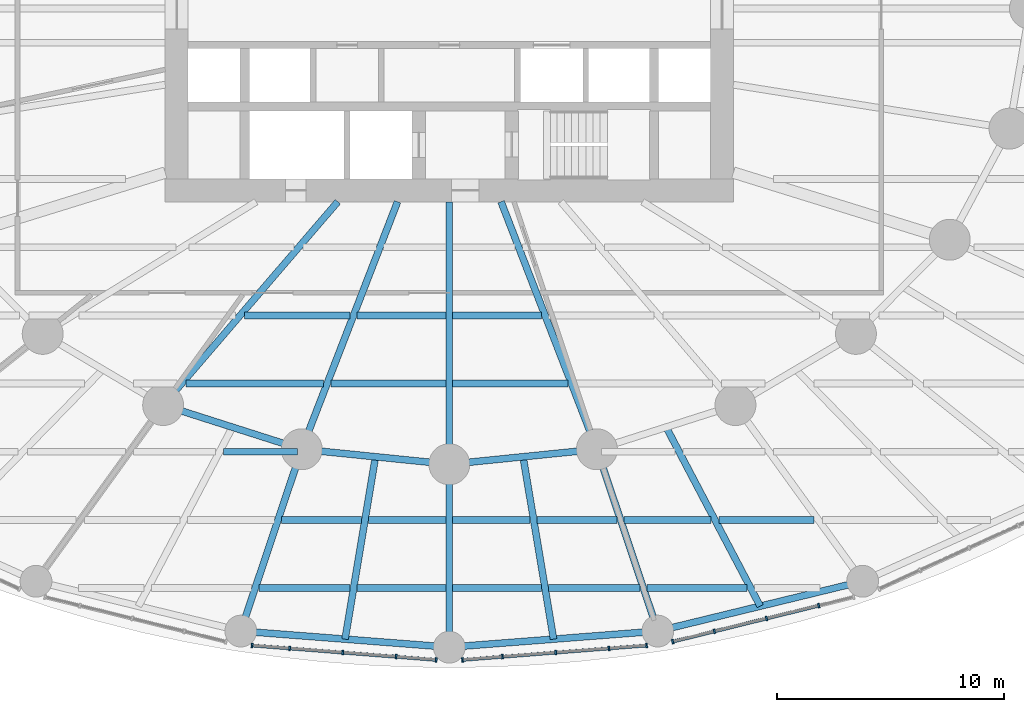
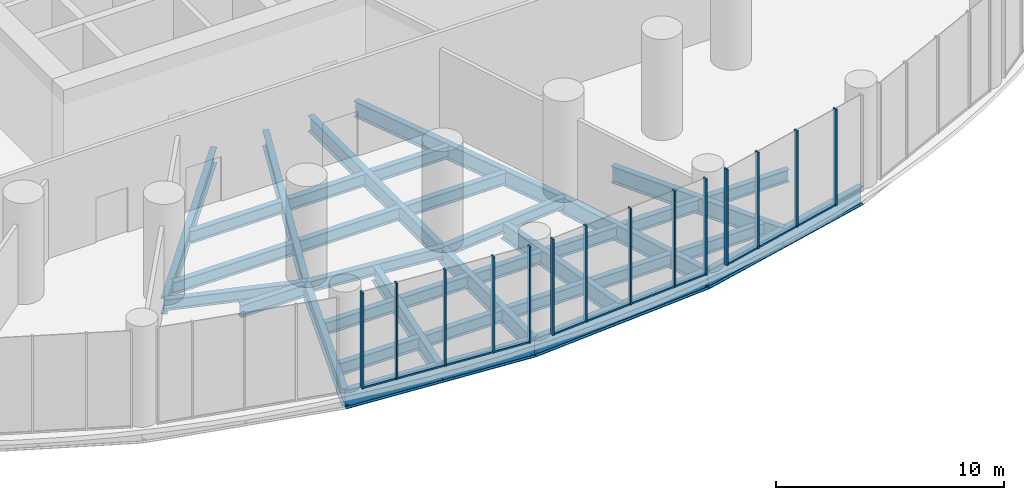
# One storey, part 4 of 21: 34 beams, 25 members, 3 elements without a shape of their own.
"""IFC4 building model written with IfcOpenShell, lengths in metres."""

import ifcopenshell
import ifcopenshell.guid

model = None  # the IFC model being written
_history = None  # IfcOwnerHistory: only IFC2X3 demands one
_inside = {}  # id of a spatial element -> (the spatial element, [elements in it])
_under = {}  # id of a project, library or spatial element -> (it, [spatial elements below it])
_declared = {}  # id of a project -> (the project, [libraries it declares])
_typed = {}  # id of a type object -> (the type object, [elements of that type])
_made_of = {}  # id of a material, layer set ... -> (it, [elements and type objects made of it])


def new_model(schema):
    """Start an empty IFC model of exactly this schema.

    Asked for "IFC4X3", IfcOpenShell would pick the latest addendum, in which some entities
    have other attributes; the version numbers below select the first issue.
    IFC2X3 requires an IfcOwnerHistory on every rooted entity: one is made here for all.
    """
    global model, _history
    if schema == "IFC4X3":
        model = ifcopenshell.file(schema_version=(4, 3, 0, 0))
    else:
        model = ifcopenshell.file(schema=schema)
    _inside.clear()
    _under.clear()
    _declared.clear()
    _typed.clear()
    _made_of.clear()
    _history = None
    if model.schema == "IFC2X3":
        org = make("IfcOrganization", Name="unknown")
        user = make(
            "IfcPersonAndOrganization",
            ThePerson=make("IfcPerson", FamilyName="unknown"),
            TheOrganization=org,
        )
        app = make(
            "IfcApplication",
            ApplicationDeveloper=org,
            Version="unknown",
            ApplicationFullName="unknown",
            ApplicationIdentifier="unknown",
        )
        _history = make(
            "IfcOwnerHistory",
            OwningUser=user,
            OwningApplication=app,
            ChangeAction="ADDED",
            CreationDate=0,
        )
    return model


def make(cls, **values):
    """One entity of the class cls with the attributes given. An attribute that is None is left unset."""
    return model.create_entity(
        cls, **{name: value for name, value in values.items() if value is not None}
    )


def rooted(cls, **values):
    """An entity with a GlobalId (a new one), such as an element, a storey or a relation."""
    return make(cls, GlobalId=ifcopenshell.guid.new(), OwnerHistory=_history, **values)


def si_unit(unit_type, name, prefix=None):
    """IfcSIUnit, for example si_unit("LENGTHUNIT", "METRE", prefix="MILLI")."""
    return make("IfcSIUnit", UnitType=unit_type, Prefix=prefix, Name=name)


def assignment(units):
    """IfcUnitAssignment: the units of a project."""
    return None if units is None else make("IfcUnitAssignment", Units=units)


def point(xyz):
    """IfcCartesianPoint."""
    return None if xyz is None else make("IfcCartesianPoint", Coordinates=xyz)


def direction(xyz):
    """IfcDirection."""
    return None if xyz is None else make("IfcDirection", DirectionRatios=xyz)


def frame(location, z_axis=None, x_axis=None):
    """IfcAxis2Placement3D, a coordinate frame: its origin and axes. An axis left out is left unset."""
    return make(
        "IfcAxis2Placement3D",
        Location=point(location),
        Axis=direction(z_axis),
        RefDirection=direction(x_axis),
    )


def frame_2d(location, x_axis=None):
    """IfcAxis2Placement2D, a coordinate frame in the plane: its origin and x axis."""
    return make(
        "IfcAxis2Placement2D", Location=point(location), RefDirection=direction(x_axis)
    )


def origin():
    """The frame at (0, 0, 0) with its axes left unset."""
    return frame((0.0, 0.0, 0.0))


def origin_2d():
    """The frame at (0, 0) in the plane with its x axis left unset."""
    return frame_2d((0.0, 0.0))


def place(relative_to, where):
    """IfcLocalPlacement: puts the frame where relative to a parent placement (None: the world)."""
    return make(
        "IfcLocalPlacement", PlacementRelTo=relative_to, RelativePlacement=where
    )


def context(
    kind, dimensions, precision=None, world=None, true_north=None, identifier=None
):
    """IfcGeometricRepresentationContext, for example the 3D "Model" context."""
    return make(
        "IfcGeometricRepresentationContext",
        ContextIdentifier=identifier,
        ContextType=kind,
        CoordinateSpaceDimension=dimensions,
        Precision=precision,
        WorldCoordinateSystem=world,
        TrueNorth=true_north,
    )


def subcontext(parent, identifier, kind, view, scale=None):
    """IfcGeometricRepresentationSubContext, for example "Body" below "Model"."""
    return make(
        "IfcGeometricRepresentationSubContext",
        ContextIdentifier=identifier,
        ContextType=kind,
        ParentContext=parent,
        TargetScale=scale,
        TargetView=view,
    )


def project(units=None, contexts=None):
    """IfcProject with its units and contexts."""
    return rooted(
        "IfcProject",
        Name="project",
        RepresentationContexts=contexts,
        UnitsInContext=assignment(units),
    )


def spatial(cls, under=None, at=None, **own):
    """A site, building, storey or space (cls), placed at a placement, below another one or the project."""
    s = rooted(cls, ObjectPlacement=at, **own)
    if under is not None:
        _under.setdefault(under.id(), (under, []))[1].append(s)
    return s


def profile(cls, at=None, kind="AREA", **sizes):
    """A parametric profile (cls). Its sizes go by their IFC names, for example OverallWidth=200.0."""
    return make(cls, ProfileType=kind, Position=at, **sizes)


def rectangle(**sizes):
    """IfcRectangleProfileDef."""
    return profile("IfcRectangleProfileDef", **sizes)


def i_section(**sizes):
    """IfcIShapeProfileDef."""
    return profile("IfcIShapeProfileDef", **sizes)


def extrude(swept, where, along, depth):
    """IfcExtrudedAreaSolid: the profile swept, set in the frame where, extruded along a direction by depth."""
    return make(
        "IfcExtrudedAreaSolid",
        SweptArea=swept,
        Position=where,
        ExtrudedDirection=direction(along),
        Depth=depth,
    )


def shape(context_of_items, identifier, shape_type, items):
    """IfcShapeRepresentation: the items that make up one representation, for example the "Body"."""
    return make(
        "IfcShapeRepresentation",
        ContextOfItems=context_of_items,
        RepresentationIdentifier=identifier,
        RepresentationType=shape_type,
        Items=items,
    )


def material(Name=None, Category=None):
    """IfcMaterial."""
    return make("IfcMaterial", Name=Name, Category=Category)


def material_profile(
    of_material, cross_section, Name=None, Category=None, Priority=None
):
    """IfcMaterialProfile: a cross section and its material."""
    return make(
        "IfcMaterialProfile",
        Name=Name,
        Material=of_material,
        Profile=cross_section,
        Priority=Priority,
        Category=Category,
    )


def profile_set(profiles, Name=None, composite=None):
    """IfcMaterialProfileSet."""
    return make(
        "IfcMaterialProfileSet",
        Name=Name,
        MaterialProfiles=profiles,
        CompositeProfile=composite,
    )


def made_of(thing, what):
    """Note that an element or type object is made of a material, layer set ...; save() writes the relation."""
    if what is not None:
        _made_of.setdefault(what.id(), (what, []))[1].append(thing)
    return thing


def type_object(cls, material=None, **own):
    """A type object (cls), such as IfcWallType, which elements share."""
    return made_of(rooted(cls, **own), material)


def element(
    cls,
    number,
    at=None,
    inside=None,
    cuts=None,
    type_object=None,
    material=None,
    context=None,
    identifier="Body",
    shape_type=None,
    held_by="IfcProductDefinitionShape",
    body=None,
    shapes=None,
    **own,
):
    """One element of the class cls, such as IfcWall. Its Tag is "e" and its number.

    at: its placement. inside: the storey or other place that contains it. cuts: it is an
    opening in that element (IfcRelVoidsElement). A single representation is given by context,
    identifier, shape_type and body (its items); several are given by shapes. held_by: the class
    of the entity that holds the representations. save() writes the other relations.
    """
    e = rooted(cls, Tag="e%d" % number, ObjectPlacement=at, **own)
    if body is not None:
        shapes = [shape(context, identifier, shape_type, body)]
    if shapes is not None:
        e.Representation = make(held_by, Representations=shapes)
    if inside is not None:
        _inside.setdefault(inside.id(), (inside, []))[1].append(e)
    if cuts is not None:
        rooted(
            "IfcRelVoidsElement", RelatingBuildingElement=cuts, RelatedOpeningElement=e
        )
    if type_object is not None:
        _typed.setdefault(type_object.id(), (type_object, []))[1].append(e)
    return made_of(e, material)


def aggregate(whole, parts):
    """IfcRelAggregates: a whole, such as a stair, and the parts it consists of."""
    return rooted("IfcRelAggregates", RelatingObject=whole, RelatedObjects=parts)


def save(model, path):
    """Write the relations noted so far, then the file.

    IfcRelAggregates (storeys below a building ...), IfcRelContainedInSpatialStructure (elements
    in a storey), IfcRelDefinesByType, IfcRelAssociatesMaterial and IfcRelDeclares: one each for
    every whole, place, type object, material and project.
    """
    for whole, parts in _under.values():
        aggregate(whole, parts)
    for where, things in _inside.values():
        rooted(
            "IfcRelContainedInSpatialStructure",
            RelatedElements=things,
            RelatingStructure=where,
        )
    for kind, things in _typed.values():
        rooted("IfcRelDefinesByType", RelatedObjects=things, RelatingType=kind)
    for what, things in _made_of.values():
        rooted("IfcRelAssociatesMaterial", RelatedObjects=things, RelatingMaterial=what)
    for by, libraries in _declared.values():
        rooted("IfcRelDeclares", RelatingContext=by, RelatedDefinitions=libraries)
    model.write(path)


model = new_model("IFC4")

# Units and contexts
model_context = context("Model", 3, precision=1e-05, world=origin(), true_north=direction((0.0, 1.0)))
body_context = subcontext(model_context, "Body", "Model", "MODEL_VIEW")
ifc_project = project(units=[si_unit("LENGTHUNIT", "METRE"), si_unit("AREAUNIT", "SQUARE_METRE"), si_unit("VOLUMEUNIT", "CUBIC_METRE"), si_unit("PLANEANGLEUNIT", "RADIAN"), si_unit("MASSUNIT", "GRAM", prefix="KILO")], contexts=[model_context])

# Site, building, storey
site_placement = place(None, origin())
site = spatial("IfcSite", under=ifc_project, at=site_placement, CompositionType="ELEMENT")
building_placement = place(site_placement, origin())
building = spatial("IfcBuilding", under=site, at=building_placement, Name="Hankou Lantern Tower", CompositionType="ELEMENT")
storey_placement = place(building_placement, frame((0.0, 0.0, 13.800048828125)))
storey = spatial("IfcBuildingStorey", under=building, at=storey_placement, Name="L02", CompositionType="ELEMENT", Elevation=13.800048828125)

# Beams
ifc_material_1 = material(Name="Steel Q355B", Category="steel")
ifc_material_profile_1 = material_profile(ifc_material_1, i_section(OverallWidth=0.300048828125, OverallDepth=0.587890625, WebThickness=0.011962890625, FlangeThickness=0.02001953125, FilletRadius=0.01806640625, at=origin_2d()), Name="HM588x300x12x20")
ifc_profile_set_1 = profile_set([ifc_material_profile_1], Name="Steel Q355B")
beam_type_1 = type_object("IfcBeamType", Name="EB16 RING BEAM HM588x300x12x20", PredefinedType="SPANDREL", material=ifc_profile_set_1)
beam_1_placement = place(storey_placement, frame((-12.5908203125, -17.446533203125, -0.5439453125), z_axis=(0.952690479428, -0.303942182671, 0.0), x_axis=(0.303942182671, 0.952690479428, 0.0)))
element("IfcBeam", 1, at=beam_1_placement, inside=storey, type_object=beam_type_1, Name="Ring beam R17-R18 L02", PredefinedType="SPANDREL", context=body_context, shape_type="SweptSolid", body=[
    extrude(i_section(OverallWidth=0.300048828125, OverallDepth=0.587890625, WebThickness=0.011962890625, FlangeThickness=0.02001953125, FilletRadius=0.01806640625, at=origin_2d()), origin(), (0.0, 0.0, 1.0), 6.398681640625),
])
for number, where, z_axis, x_axis, name in (
    (2, (-6.494873046875, -19.391357421875, -0.5439453125), (0.994896616842, -0.100899562915, 0.0), (0.100899562915, 0.994896616842, 0.0), "Ring beam R18-R19 L02"),
    (3, (0.0, -20.050048828125, -0.5439453125), (0.994896616842, 0.100899562915, 0.0), (-0.100899562915, 0.994896616842, 0.0), "Ring beam R19-R20 L02"),
):
    element("IfcBeam", number, at=place(storey_placement, frame(where, z_axis=z_axis, x_axis=x_axis)), inside=storey, type_object=beam_type_1, Name=name, PredefinedType="SPANDREL", context=body_context, shape_type="SweptSolid", body=[
        extrude(i_section(OverallWidth=0.300048828125, OverallDepth=0.587890625, WebThickness=0.011962890625, FlangeThickness=0.02001953125, FilletRadius=0.01806640625, at=origin_2d()), origin(), (0.0, 0.0, 1.0), 6.528076171875),
    ])

# Curtain wall, members
ifc_material_2 = material(Name="Glass, dark grey tinted laminated", Category="glass")
curtain_wall_type = type_object("IfcCurtainWallType", Name="CWP PODIUM CURTAIN WALL", PredefinedType="USERDEFINED", material=ifc_material_2)
curtain_wall_1_placement = place(storey_placement, origin())
curtain_wall_1 = element("IfcCurtainWall", 4, at=curtain_wall_1_placement, inside=storey, type_object=curtain_wall_type, Name="CWP L02 PC14", ObjectType="PODIUM GLAZING", PredefinedType="USERDEFINED")
ifc_material_3 = material(Name="Aluminium, black anodised", Category="aluminium")
ifc_material_profile_2 = material_profile(ifc_material_3, rectangle(XDim=0.080078125, YDim=0.199951171875, at=origin_2d()), Name="MU2 80X200")
ifc_profile_set_2 = profile_set([ifc_material_profile_2], Name="Aluminium, black anodised")
member_type_1 = type_object("IfcMemberType", Name="MU2 PODIUM MULLION 80X200", PredefinedType="MULLION", material=ifc_profile_set_2)
member_1_placement = place(storey_placement, frame((-8.678955078125, -28.0205078125, 0.0), z_axis=(0.0, 0.0, 1.0), x_axis=(0.996948515213, -0.078061885796, 0.0)))
member_1 = element("IfcMember", 5, at=member_1_placement, type_object=member_type_1, Name="CWP mullion 1", PredefinedType="MULLION", context=body_context, shape_type="SweptSolid", body=[
    extrude(rectangle(XDim=0.080078125, YDim=0.199951171875, at=origin_2d()), origin(), (0.0, 0.0, 1.0), 5.14990234375),
])
member_2_placement = place(storey_placement, frame((-7.025146484375, -28.14990234375, 0.0), z_axis=(0.0, 0.0, 1.0), x_axis=(0.996948515213, -0.078061885796, 0.0)))
member_2 = element("IfcMember", 6, at=member_2_placement, type_object=member_type_1, Name="CWP mullion 2", PredefinedType="MULLION", context=body_context, shape_type="SweptSolid", body=[
    extrude(rectangle(XDim=0.080078125, YDim=0.199951171875, at=origin_2d()), origin(), (0.0, 0.0, 1.0), 5.14990234375),
])
member_3_placement = place(storey_placement, frame((-4.68359375, -28.333251953125, 0.0), z_axis=(0.0, 0.0, 1.0), x_axis=(0.996948515213, -0.078061885796, 0.0)))
member_3 = element("IfcMember", 7, at=member_3_placement, type_object=member_type_1, Name="CWP mullion 3", PredefinedType="MULLION", context=body_context, shape_type="SweptSolid", body=[
    extrude(rectangle(XDim=0.080078125, YDim=0.199951171875, at=origin_2d()), origin(), (0.0, 0.0, 1.0), 5.14990234375),
])
member_4_placement = place(storey_placement, frame((-2.341796875, -28.5166015625, 0.0), z_axis=(0.0, 0.0, 1.0), x_axis=(0.996948515213, -0.078061885796, 0.0)))
member_4 = element("IfcMember", 8, at=member_4_placement, type_object=member_type_1, Name="CWP mullion 4", PredefinedType="MULLION", context=body_context, shape_type="SweptSolid", body=[
    extrude(rectangle(XDim=0.080078125, YDim=0.199951171875, at=origin_2d()), origin(), (0.0, 0.0, 1.0), 5.14990234375),
])
member_5_placement = place(storey_placement, frame((-0.578857421875, -28.65478515625, 0.0), z_axis=(0.0, 0.0, 1.0), x_axis=(0.996948515213, -0.078061885796, 0.0)))
member_5 = element("IfcMember", 9, at=member_5_placement, type_object=member_type_1, Name="CWP mullion 5", PredefinedType="MULLION", context=body_context, shape_type="SweptSolid", body=[
    extrude(rectangle(XDim=0.080078125, YDim=0.199951171875, at=origin_2d()), origin(), (0.0, 0.0, 1.0), 5.14990234375),
])

curtain_wall_2_placement = place(storey_placement, origin())
curtain_wall_2 = element("IfcCurtainWall", 10, at=curtain_wall_2_placement, inside=storey, type_object=curtain_wall_type, Name="CWP L02 PC15", ObjectType="PODIUM GLAZING", PredefinedType="USERDEFINED")
member_6_placement = place(storey_placement, frame((0.578857421875, -28.65478515625, 0.0), z_axis=(0.0, 0.0, 1.0), x_axis=(0.996948515213, 0.078061885796, 0.0)))
member_6 = element("IfcMember", 11, at=member_6_placement, type_object=member_type_1, Name="CWP mullion 1", PredefinedType="MULLION", context=body_context, shape_type="SweptSolid", body=[
    extrude(rectangle(XDim=0.080078125, YDim=0.199951171875, at=origin_2d()), origin(), (0.0, 0.0, 1.0), 5.14990234375),
])
member_7_placement = place(storey_placement, frame((2.341796875, -28.5166015625, 0.0), z_axis=(0.0, 0.0, 1.0), x_axis=(0.996948515213, 0.078061885796, 0.0)))
member_7 = element("IfcMember", 12, at=member_7_placement, type_object=member_type_1, Name="CWP mullion 2", PredefinedType="MULLION", context=body_context, shape_type="SweptSolid", body=[
    extrude(rectangle(XDim=0.080078125, YDim=0.199951171875, at=origin_2d()), origin(), (0.0, 0.0, 1.0), 5.14990234375),
])
member_8_placement = place(storey_placement, frame((4.68359375, -28.333251953125, 0.0), z_axis=(0.0, 0.0, 1.0), x_axis=(0.996948515213, 0.078061885796, 0.0)))
member_8 = element("IfcMember", 13, at=member_8_placement, type_object=member_type_1, Name="CWP mullion 3", PredefinedType="MULLION", context=body_context, shape_type="SweptSolid", body=[
    extrude(rectangle(XDim=0.080078125, YDim=0.199951171875, at=origin_2d()), origin(), (0.0, 0.0, 1.0), 5.14990234375),
])
member_9_placement = place(storey_placement, frame((7.025146484375, -28.14990234375, 0.0), z_axis=(0.0, 0.0, 1.0), x_axis=(0.996948515213, 0.078061885796, 0.0)))
member_9 = element("IfcMember", 14, at=member_9_placement, type_object=member_type_1, Name="CWP mullion 4", PredefinedType="MULLION", context=body_context, shape_type="SweptSolid", body=[
    extrude(rectangle(XDim=0.080078125, YDim=0.199951171875, at=origin_2d()), origin(), (0.0, 0.0, 1.0), 5.14990234375),
])
member_10_placement = place(storey_placement, frame((8.678955078125, -28.0205078125, 0.0), z_axis=(0.0, 0.0, 1.0), x_axis=(0.996948515213, 0.078061885796, 0.0)))
member_10 = element("IfcMember", 15, at=member_10_placement, type_object=member_type_1, Name="CWP mullion 5", PredefinedType="MULLION", context=body_context, shape_type="SweptSolid", body=[
    extrude(rectangle(XDim=0.080078125, YDim=0.199951171875, at=origin_2d()), origin(), (0.0, 0.0, 1.0), 5.14990234375),
])

curtain_wall_3_placement = place(storey_placement, origin())
curtain_wall_3 = element("IfcCurtainWall", 16, at=curtain_wall_3_placement, inside=storey, type_object=curtain_wall_type, Name="CWP L02 PC16", ObjectType="PODIUM GLAZING", PredefinedType="USERDEFINED")
member_11_placement = place(storey_placement, frame((9.83056640625, -27.852294921875, 0.0), z_axis=(0.0, 0.0, 1.0), x_axis=(0.970960955091, 0.239238006364, 0.0)))
member_11 = element("IfcMember", 17, at=member_11_placement, type_object=member_type_1, Name="CWP mullion 1", PredefinedType="MULLION", context=body_context, shape_type="SweptSolid", body=[
    extrude(rectangle(XDim=0.080078125, YDim=0.199951171875, at=origin_2d()), origin(), (0.0, 0.0, 1.0), 5.14990234375),
])
member_12_placement = place(storey_placement, frame((11.662841796875, -27.40087890625, 0.0), z_axis=(0.0, 0.0, 1.0), x_axis=(0.970960955091, 0.239238006364, 0.0)))
member_12 = element("IfcMember", 18, at=member_12_placement, type_object=member_type_1, Name="CWP mullion 2", PredefinedType="MULLION", context=body_context, shape_type="SweptSolid", body=[
    extrude(rectangle(XDim=0.080078125, YDim=0.199951171875, at=origin_2d()), origin(), (0.0, 0.0, 1.0), 5.14990234375),
])
member_13_placement = place(storey_placement, frame((13.95849609375, -26.835205078125, 0.0), z_axis=(0.0, 0.0, 1.0), x_axis=(0.970960955091, 0.239238006364, 0.0)))
member_13 = element("IfcMember", 19, at=member_13_placement, type_object=member_type_1, Name="CWP mullion 3", PredefinedType="MULLION", context=body_context, shape_type="SweptSolid", body=[
    extrude(rectangle(XDim=0.080078125, YDim=0.199951171875, at=origin_2d()), origin(), (0.0, 0.0, 1.0), 5.14990234375),
])
member_14_placement = place(storey_placement, frame((16.25439453125, -26.26953125, 0.0), z_axis=(0.0, 0.0, 1.0), x_axis=(0.970960955091, 0.239238006364, 0.0)))
member_14 = element("IfcMember", 20, at=member_14_placement, type_object=member_type_1, Name="CWP mullion 4", PredefinedType="MULLION", context=body_context, shape_type="SweptSolid", body=[
    extrude(rectangle(XDim=0.080078125, YDim=0.199951171875, at=origin_2d()), origin(), (0.0, 0.0, 1.0), 5.14990234375),
])

# Beams
ifc_material_4 = material(Name="Steel Q355B", Category="steel")
ifc_material_profile_3 = material_profile(ifc_material_4, i_section(OverallWidth=0.300048828125, OverallDepth=0.89990234375, WebThickness=0.01611328125, FlangeThickness=0.028076171875, FilletRadius=0.01806640625, at=origin_2d()), Name="HN900x300x16x28")
ifc_profile_set_3 = profile_set([ifc_material_profile_3], Name="Steel Q355B")
beam_type_2 = type_object("IfcBeamType", Name="PB13 PODIUM RADIAL BEAM HN900x300x16x28", PredefinedType="BEAM", material=ifc_profile_set_3)
beam_2_placement = place(storey_placement, frame((-6.494873046875, -19.391357421875, -0.699951171875), z_axis=(-0.317599116391, -0.948225079434, 0.0), x_axis=(0.948225079434, -0.317599116391, 0.0)))
element("IfcBeam", 21, at=beam_2_placement, inside=storey, type_object=beam_type_2, Name="Podium radial beam R18 L02", PredefinedType="BEAM", context=body_context, shape_type="SweptSolid", body=[
    extrude(i_section(OverallWidth=0.300048828125, OverallDepth=0.89990234375, WebThickness=0.01611328125, FlangeThickness=0.028076171875, FilletRadius=0.01806640625, at=origin_2d()), origin(), (0.0, 0.0, 1.0), 8.4365234375),
])
beam_3_placement = place(storey_placement, frame((0.0, -20.050048828125, -0.699951171875), z_axis=(0.0, -1.0, 0.0), x_axis=(1.0, 0.0, 0.0)))
element("IfcBeam", 22, at=beam_3_placement, inside=storey, type_object=beam_type_2, Name="Podium radial beam R19 L02", PredefinedType="BEAM", context=body_context, shape_type="SweptSolid", body=[
    extrude(i_section(OverallWidth=0.300048828125, OverallDepth=0.89990234375, WebThickness=0.01611328125, FlangeThickness=0.028076171875, FilletRadius=0.01806640625, at=origin_2d()), origin(), (0.0, 0.0, 1.0), 8.050048828125),
])
beam_4_placement = place(storey_placement, frame((6.494873046875, -19.391357421875, -0.699951171875), z_axis=(0.317599116391, -0.948225079434, 0.0), x_axis=(0.948225079434, 0.317599116391, 0.0)))
element("IfcBeam", 23, at=beam_4_placement, inside=storey, type_object=beam_type_2, Name="Podium radial beam R20 L02", PredefinedType="BEAM", context=body_context, shape_type="SweptSolid", body=[
    extrude(i_section(OverallWidth=0.300048828125, OverallDepth=0.89990234375, WebThickness=0.01611328125, FlangeThickness=0.028076171875, FilletRadius=0.01806640625, at=origin_2d()), origin(), (0.0, 0.0, 1.0), 8.4365234375),
])
ifc_material_5 = material(Name="Steel Q355B", Category="steel")
ifc_material_profile_4 = material_profile(ifc_material_5, i_section(OverallWidth=0.300048828125, OverallDepth=1.0, WebThickness=0.01904296875, FlangeThickness=0.035888671875, FilletRadius=0.01806640625, at=origin_2d()), Name="HN1000x300x19x36")
ifc_profile_set_4 = profile_set([ifc_material_profile_4], Name="Steel Q355B")
beam_type_3 = type_object("IfcBeamType", Name="PR22 PODIUM RING BEAM HN1000x300x19x36", PredefinedType="BEAM", material=ifc_profile_set_4)
for number, where, z_axis, x_axis, name in (
    (24, (-9.17431640625, -27.39111328125, -0.75), (0.997027266507, -0.077049528499, 0.0), (0.077049528499, 0.997027266507, 0.0), "Podium ring beam R18-R19 L02"),
    (25, (0.0, -28.10009765625, -0.75), (0.997027266507, 0.077049528499, 0.0), (-0.077049528499, 0.997027266507, 0.0), "Podium ring beam R19-R20 L02"),
):
    element("IfcBeam", number, at=place(storey_placement, frame(where, z_axis=z_axis, x_axis=x_axis)), inside=storey, type_object=beam_type_3, Name=name, PredefinedType="BEAM", context=body_context, shape_type="SweptSolid", body=[
        extrude(i_section(OverallWidth=0.300048828125, OverallDepth=1.0, WebThickness=0.01904296875, FlangeThickness=0.035888671875, FilletRadius=0.01806640625, at=origin_2d()), origin(), (0.0, 0.0, 1.0), 9.20166015625),
    ])
beam_5_placement = place(storey_placement, frame((9.17431640625, -27.39111328125, -0.75), z_axis=(0.971677242441, 0.23631194748, 0.0), x_axis=(-0.23631194748, 0.971677242441, 0.0)))
element("IfcBeam", 26, at=beam_5_placement, inside=storey, type_object=beam_type_3, Name="Podium ring beam R20-R21 L02", PredefinedType="BEAM", context=body_context, shape_type="SweptSolid", body=[
    extrude(i_section(OverallWidth=0.300048828125, OverallDepth=1.0, WebThickness=0.01904296875, FlangeThickness=0.035888671875, FilletRadius=0.01806640625, at=origin_2d()), origin(), (0.0, 0.0, 1.0), 9.2744140625),
])
ifc_material_6 = material(Name="Steel Q355B", Category="steel")
ifc_material_profile_5 = material_profile(ifc_material_6, i_section(OverallWidth=0.300048828125, OverallDepth=0.89990234375, WebThickness=0.01611328125, FlangeThickness=0.028076171875, FilletRadius=0.01806640625, at=origin_2d()), Name="HN900x300x16x28")
ifc_profile_set_5 = profile_set([ifc_material_profile_5], Name="Steel Q355B")
beam_type_4 = type_object("IfcBeamType", Name="PS13 PODIUM SECONDARY BEAM HN900x300x16x28", PredefinedType="JOIST", material=ifc_profile_set_5)
for number, where, z_axis, x_axis, name in (
    (27, (-3.24755859375, -19.720703125, -0.699951171875), (-0.164652019445, -0.986351718452, 0.0), (0.986351718452, -0.164652019445, 0.0), "Podium secondary beam bay R18 L02"),
    (28, (3.24755859375, -19.720703125, -0.699951171875), (0.164652019445, -0.986351718452, 0.0), (0.986351718452, 0.164652019445, 0.0), "Podium secondary beam bay R19 L02"),
):
    element("IfcBeam", number, at=place(storey_placement, frame(where, z_axis=z_axis, x_axis=x_axis)), inside=storey, type_object=beam_type_4, Name=name, PredefinedType="JOIST", context=body_context, shape_type="SweptSolid", body=[
        extrude(i_section(OverallWidth=0.300048828125, OverallDepth=0.89990234375, WebThickness=0.01611328125, FlangeThickness=0.028076171875, FilletRadius=0.01806640625, at=origin_2d()), origin(), (0.0, 0.0, 1.0), 8.135986328125),
    ])
beam_6_placement = place(storey_placement, frame((9.54296875, -18.4189453125, -0.699951171875), z_axis=(0.465026961303, -0.88529651827, 0.0), x_axis=(0.88529651827, 0.465026961303, 0.0)))
element("IfcBeam", 29, at=beam_6_placement, inside=storey, type_object=beam_type_4, Name="Podium secondary beam bay R20 L02", PredefinedType="JOIST", context=body_context, shape_type="SweptSolid", body=[
    extrude(i_section(OverallWidth=0.300048828125, OverallDepth=0.89990234375, WebThickness=0.01611328125, FlangeThickness=0.028076171875, FilletRadius=0.01806640625, at=origin_2d()), origin(), (0.0, 0.0, 1.0), 8.896728515625),
])
ifc_material_7 = material(Name="Steel Q355B", Category="steel")
ifc_material_profile_6 = material_profile(ifc_material_7, i_section(OverallWidth=0.300048828125, OverallDepth=0.85009765625, WebThickness=0.01611328125, FlangeThickness=0.027099609375, FilletRadius=0.01806640625, at=origin_2d()), Name="HN850x300x16x27")
ifc_profile_set_6 = profile_set([ifc_material_profile_6], Name="Steel Q355B")
beam_type_5 = type_object("IfcBeamType", Name="RB12 RADIAL BEAM HN850x300x16x27", PredefinedType="BEAM", material=ifc_profile_set_6)
beam_7_placement = place(storey_placement, frame((-4.907470703125, -8.5, -0.675048828125), z_axis=(-0.651519061225, -0.758632264579, 0.0), x_axis=(0.758632264579, -0.651519061225, 0.0)))
element("IfcBeam", 30, at=beam_7_placement, inside=storey, type_object=beam_type_5, Name="Radial beam R17 L02", PredefinedType="BEAM", context=body_context, shape_type="SweptSolid", body=[
    extrude(i_section(OverallWidth=0.300048828125, OverallDepth=0.85009765625, WebThickness=0.01611328125, FlangeThickness=0.027099609375, FilletRadius=0.01806640625, at=origin_2d()), origin(), (0.0, 0.0, 1.0), 11.79296875),
])
beam_8_placement = place(storey_placement, frame((-2.277587890625, -8.5, -0.675048828125), z_axis=(-0.361089103374, -0.932531318201, 0.0), x_axis=(0.932531318201, -0.361089103374, 0.0)))
element("IfcBeam", 31, at=beam_8_placement, inside=storey, type_object=beam_type_5, Name="Radial beam R18 L02", PredefinedType="BEAM", context=body_context, shape_type="SweptSolid", body=[
    extrude(i_section(OverallWidth=0.300048828125, OverallDepth=0.85009765625, WebThickness=0.01611328125, FlangeThickness=0.027099609375, FilletRadius=0.01806640625, at=origin_2d()), origin(), (0.0, 0.0, 1.0), 11.679443359375),
])
beam_9_placement = place(storey_placement, frame((0.0, -8.5, -0.675048828125), z_axis=(0.0, -1.0, 0.0), x_axis=(1.0, 0.0, 0.0)))
element("IfcBeam", 32, at=beam_9_placement, inside=storey, type_object=beam_type_5, Name="Radial beam R19 L02", PredefinedType="BEAM", context=body_context, shape_type="SweptSolid", body=[
    extrude(i_section(OverallWidth=0.300048828125, OverallDepth=0.85009765625, WebThickness=0.01611328125, FlangeThickness=0.027099609375, FilletRadius=0.01806640625, at=origin_2d()), origin(), (0.0, 0.0, 1.0), 11.550048828125),
])
beam_10_placement = place(storey_placement, frame((2.277587890625, -8.5, -0.675048828125), z_axis=(0.361089103374, -0.932531318201, 0.0), x_axis=(0.932531318201, 0.361089103374, 0.0)))
element("IfcBeam", 33, at=beam_10_placement, inside=storey, type_object=beam_type_5, Name="Radial beam R20 L02", PredefinedType="BEAM", context=body_context, shape_type="SweptSolid", body=[
    extrude(i_section(OverallWidth=0.300048828125, OverallDepth=0.85009765625, WebThickness=0.01611328125, FlangeThickness=0.027099609375, FilletRadius=0.01806640625, at=origin_2d()), origin(), (0.0, 0.0, 1.0), 11.679443359375),
])
ifc_material_8 = material(Name="Steel Q355B", Category="steel")
ifc_material_profile_7 = material_profile(ifc_material_8, i_section(OverallWidth=0.300048828125, OverallDepth=0.64990234375, WebThickness=0.010986328125, FlangeThickness=0.01708984375, FilletRadius=0.01806640625, at=origin_2d()), Name="HN650x300x11x17")
ifc_profile_set_7 = profile_set([ifc_material_profile_7], Name="Steel Q355B")
beam_type_6 = type_object("IfcBeamType", Name="SB8 SECONDARY BEAM HN650x300x11x17", PredefinedType="JOIST", material=ifc_profile_set_7)
beam_11_placement = place(storey_placement, frame((-8.3828125, -25.5, -0.574951171875), z_axis=(1.0, 0.0, 0.0), x_axis=(0.0, 1.0, 0.0)))
element("IfcBeam", 34, at=beam_11_placement, inside=storey, type_object=beam_type_6, Name="Floor joist J003 L02", PredefinedType="JOIST", context=body_context, shape_type="SweptSolid", body=[
    extrude(i_section(OverallWidth=0.300048828125, OverallDepth=0.64990234375, WebThickness=0.010986328125, FlangeThickness=0.01708984375, FilletRadius=0.01806640625, at=origin_2d()), origin(), (0.0, 0.0, 1.0), 4.0185546875),
])
for number, where, z_axis, x_axis, name in (
    (35, (-4.060302734375, -25.5, -0.574951171875), (1.0, 0.0, 0.0), (0.0, 1.0, 0.0), "Floor joist J004 L02"),
    (36, (0.14990234375, -25.5, -0.574951171875), (1.0, 0.0, 0.0), (0.0, 1.0, 0.0), "Floor joist J005 L02"),
):
    element("IfcBeam", number, at=place(storey_placement, frame(where, z_axis=z_axis, x_axis=x_axis)), inside=storey, type_object=beam_type_6, Name=name, PredefinedType="JOIST", context=body_context, shape_type="SweptSolid", body=[
        extrude(i_section(OverallWidth=0.300048828125, OverallDepth=0.64990234375, WebThickness=0.010986328125, FlangeThickness=0.01708984375, FilletRadius=0.01806640625, at=origin_2d()), origin(), (0.0, 0.0, 1.0), 3.910400390625),
    ])
beam_12_placement = place(storey_placement, frame((4.3642578125, -25.5, -0.574951171875), z_axis=(1.0, 0.0, 0.0), x_axis=(0.0, 1.0, 0.0)))
element("IfcBeam", 37, at=beam_12_placement, inside=storey, type_object=beam_type_6, Name="Floor joist J006 L02", PredefinedType="JOIST", context=body_context, shape_type="SweptSolid", body=[
    extrude(i_section(OverallWidth=0.300048828125, OverallDepth=0.64990234375, WebThickness=0.010986328125, FlangeThickness=0.01708984375, FilletRadius=0.01806640625, at=origin_2d()), origin(), (0.0, 0.0, 1.0), 4.0185546875),
])
beam_13_placement = place(storey_placement, frame((8.698974609375, -25.5, -0.574951171875), z_axis=(1.0, 0.0, 0.0), x_axis=(0.0, 1.0, 0.0)))
element("IfcBeam", 38, at=beam_13_placement, inside=storey, type_object=beam_type_6, Name="Floor joist J007 L02", PredefinedType="JOIST", context=body_context, shape_type="SweptSolid", body=[
    extrude(i_section(OverallWidth=0.300048828125, OverallDepth=0.64990234375, WebThickness=0.010986328125, FlangeThickness=0.01708984375, FilletRadius=0.01806640625, at=origin_2d()), origin(), (0.0, 0.0, 1.0), 4.39404296875),
])
beam_14_placement = place(storey_placement, frame((-7.3779296875, -22.5, -0.574951171875), z_axis=(1.0, 0.0, 0.0), x_axis=(0.0, 1.0, 0.0)))
element("IfcBeam", 39, at=beam_14_placement, inside=storey, type_object=beam_type_6, Name="Floor joist J013 L02", PredefinedType="JOIST", context=body_context, shape_type="SweptSolid", body=[
    extrude(i_section(OverallWidth=0.300048828125, OverallDepth=0.64990234375, WebThickness=0.010986328125, FlangeThickness=0.01708984375, FilletRadius=0.01806640625, at=origin_2d()), origin(), (0.0, 0.0, 1.0), 3.514404296875),
])
for number, where, z_axis, x_axis, name in (
    (40, (-3.559326171875, -22.5, -0.574951171875), (1.0, 0.0, 0.0), (0.0, 1.0, 0.0), "Floor joist J014 L02"),
    (41, (0.14990234375, -22.5, -0.574951171875), (1.0, 0.0, 0.0), (0.0, 1.0, 0.0), "Floor joist J015 L02"),
):
    element("IfcBeam", number, at=place(storey_placement, frame(where, z_axis=z_axis, x_axis=x_axis)), inside=storey, type_object=beam_type_6, Name=name, PredefinedType="JOIST", context=body_context, shape_type="SweptSolid", body=[
        extrude(i_section(OverallWidth=0.300048828125, OverallDepth=0.64990234375, WebThickness=0.010986328125, FlangeThickness=0.01708984375, FilletRadius=0.01806640625, at=origin_2d()), origin(), (0.0, 0.0, 1.0), 3.409423828125),
    ])
beam_15_placement = place(storey_placement, frame((3.863525390625, -22.5, -0.574951171875), z_axis=(1.0, 0.0, 0.0), x_axis=(0.0, 1.0, 0.0)))
element("IfcBeam", 42, at=beam_15_placement, inside=storey, type_object=beam_type_6, Name="Floor joist J016 L02", PredefinedType="JOIST", context=body_context, shape_type="SweptSolid", body=[
    extrude(i_section(OverallWidth=0.300048828125, OverallDepth=0.64990234375, WebThickness=0.010986328125, FlangeThickness=0.01708984375, FilletRadius=0.01806640625, at=origin_2d()), origin(), (0.0, 0.0, 1.0), 3.514404296875),
])
beam_16_placement = place(storey_placement, frame((7.6943359375, -22.5, -0.574951171875), z_axis=(1.0, 0.0, 0.0), x_axis=(0.0, 1.0, 0.0)))
element("IfcBeam", 43, at=beam_16_placement, inside=storey, type_object=beam_type_6, Name="Floor joist J017 L02", PredefinedType="JOIST", context=body_context, shape_type="SweptSolid", body=[
    extrude(i_section(OverallWidth=0.300048828125, OverallDepth=0.64990234375, WebThickness=0.010986328125, FlangeThickness=0.01708984375, FilletRadius=0.01806640625, at=origin_2d()), origin(), (0.0, 0.0, 1.0), 3.82275390625),
])
beam_17_placement = place(storey_placement, frame((11.85595703125, -22.5, -0.574951171875), z_axis=(1.0, 0.0, 0.0), x_axis=(0.0, 1.0, 0.0)))
element("IfcBeam", 44, at=beam_17_placement, inside=storey, type_object=beam_type_6, Name="Floor joist J018 L02", PredefinedType="JOIST", context=body_context, shape_type="SweptSolid", body=[
    extrude(i_section(OverallWidth=0.300048828125, OverallDepth=0.64990234375, WebThickness=0.010986328125, FlangeThickness=0.01708984375, FilletRadius=0.01806640625, at=origin_2d()), origin(), (0.0, 0.0, 1.0), 4.197021484375),
])
beam_18_placement = place(storey_placement, frame((-9.94140625, -19.5, -0.574951171875), z_axis=(1.0, 0.0, 0.0), x_axis=(0.0, 1.0, 0.0)))
element("IfcBeam", 45, at=beam_18_placement, inside=storey, type_object=beam_type_6, Name="Floor joist J025 L02", PredefinedType="JOIST", context=body_context, shape_type="SweptSolid", body=[
    extrude(i_section(OverallWidth=0.300048828125, OverallDepth=0.64990234375, WebThickness=0.010986328125, FlangeThickness=0.01708984375, FilletRadius=0.01806640625, at=origin_2d()), origin(), (0.0, 0.0, 1.0), 3.251953125),
])
beam_19_placement = place(storey_placement, frame((-11.580322265625, -16.5, -0.574951171875), z_axis=(1.0, 0.0, 0.0), x_axis=(0.0, 1.0, 0.0)))
element("IfcBeam", 46, at=beam_19_placement, inside=storey, type_object=beam_type_6, Name="Floor joist J037 L02", PredefinedType="JOIST", context=body_context, shape_type="SweptSolid", body=[
    extrude(i_section(OverallWidth=0.300048828125, OverallDepth=0.64990234375, WebThickness=0.010986328125, FlangeThickness=0.01708984375, FilletRadius=0.01806640625, at=origin_2d()), origin(), (0.0, 0.0, 1.0), 6.044189453125),
])
for number, where, z_axis, x_axis, name in (
    (47, (-5.21435546875, -16.5, -0.574951171875), (1.0, 0.0, 0.0), (0.0, 1.0, 0.0), "Floor joist J038 L02"),
    (48, (0.14990234375, -16.5, -0.574951171875), (1.0, 0.0, 0.0), (0.0, 1.0, 0.0), "Floor joist J039 L02"),
):
    element("IfcBeam", number, at=place(storey_placement, frame(where, z_axis=z_axis, x_axis=x_axis)), inside=storey, type_object=beam_type_6, Name=name, PredefinedType="JOIST", context=body_context, shape_type="SweptSolid", body=[
        extrude(i_section(OverallWidth=0.300048828125, OverallDepth=0.64990234375, WebThickness=0.010986328125, FlangeThickness=0.01708984375, FilletRadius=0.01806640625, at=origin_2d()), origin(), (0.0, 0.0, 1.0), 5.064453125),
    ])
beam_20_placement = place(storey_placement, frame((-9.00390625, -13.5, -0.574951171875), z_axis=(1.0, 0.0, 0.0), x_axis=(0.0, 1.0, 0.0)))
element("IfcBeam", 49, at=beam_20_placement, inside=storey, type_object=beam_type_6, Name="Floor joist J050 L02", PredefinedType="JOIST", context=body_context, shape_type="SweptSolid", body=[
    extrude(i_section(OverallWidth=0.300048828125, OverallDepth=0.64990234375, WebThickness=0.010986328125, FlangeThickness=0.01708984375, FilletRadius=0.01806640625, at=origin_2d()), origin(), (0.0, 0.0, 1.0), 4.62939453125),
])
for number, where, z_axis, x_axis, name in (
    (50, (-4.052734375, -13.5, -0.574951171875), (1.0, 0.0, 0.0), (0.0, 1.0, 0.0), "Floor joist J051 L02"),
    (51, (0.14990234375, -13.5, -0.574951171875), (1.0, 0.0, 0.0), (0.0, 1.0, 0.0), "Floor joist J052 L02"),
):
    element("IfcBeam", number, at=place(storey_placement, frame(where, z_axis=z_axis, x_axis=x_axis)), inside=storey, type_object=beam_type_6, Name=name, PredefinedType="JOIST", context=body_context, shape_type="SweptSolid", body=[
        extrude(i_section(OverallWidth=0.300048828125, OverallDepth=0.64990234375, WebThickness=0.010986328125, FlangeThickness=0.01708984375, FilletRadius=0.01806640625, at=origin_2d()), origin(), (0.0, 0.0, 1.0), 3.90283203125),
    ])

# Member
ifc_material_9 = material(Name="Aluminium, black anodised", Category="aluminium")
ifc_material_profile_8 = material_profile(ifc_material_9, rectangle(XDim=0.14990234375, YDim=0.080078125, at=origin_2d()), Name="TR2 150X80")
ifc_profile_set_8 = profile_set([ifc_material_profile_8], Name="Aluminium, black anodised")
member_type_2 = type_object("IfcMemberType", Name="TR2 PODIUM TRANSOM 150X80", PredefinedType="USERDEFINED", material=ifc_profile_set_8)
member_15_placement = place(storey_placement, frame((-8.638916015625, -28.023681640625, 0.0400390625), z_axis=(0.996957260436, -0.077950117788, 0.0), x_axis=(0.077950117788, 0.996957260436, 0.0)))
member_15 = element("IfcMember", 52, at=member_15_placement, type_object=member_type_2, Name="CWP transom 1", ObjectType="TRANSOM", PredefinedType="USERDEFINED", context=body_context, shape_type="SweptSolid", body=[
    extrude(rectangle(XDim=0.14990234375, YDim=0.080078125, at=origin_2d()), origin(), (0.0, 0.0, 1.0), 1.57861328125),
])

member_16_placement = place(storey_placement, frame((-6.9853515625, -28.153076171875, 0.0400390625), z_axis=(0.996952341782, -0.078013000301, 0.0), x_axis=(0.078013000301, 0.996952341782, 0.0)))
member_16 = element("IfcMember", 53, at=member_16_placement, type_object=member_type_2, Name="CWP transom 2", ObjectType="TRANSOM", PredefinedType="USERDEFINED", context=body_context, shape_type="SweptSolid", body=[
    extrude(rectangle(XDim=0.14990234375, YDim=0.080078125, at=origin_2d()), origin(), (0.0, 0.0, 1.0), 2.268798828125),
])

member_17_placement = place(storey_placement, frame((-4.6435546875, -28.33642578125, 0.0400390625), z_axis=(0.996952341782, -0.078013000301, 0.0), x_axis=(0.078013000301, 0.996952341782, 0.0)))
member_17 = element("IfcMember", 54, at=member_17_placement, type_object=member_type_2, Name="CWP transom 3", ObjectType="TRANSOM", PredefinedType="USERDEFINED", context=body_context, shape_type="SweptSolid", body=[
    extrude(rectangle(XDim=0.14990234375, YDim=0.080078125, at=origin_2d()), origin(), (0.0, 0.0, 1.0), 2.268798828125),
])

member_18_placement = place(storey_placement, frame((-2.3017578125, -28.519775390625, 0.0400390625), z_axis=(0.996946329832, -0.078089790848, 0.0), x_axis=(0.078089790848, 0.996946329832, 0.0)))
member_18 = element("IfcMember", 55, at=member_18_placement, type_object=member_type_2, Name="CWP transom 4", ObjectType="TRANSOM", PredefinedType="USERDEFINED", context=body_context, shape_type="SweptSolid", body=[
    extrude(rectangle(XDim=0.14990234375, YDim=0.080078125, at=origin_2d()), origin(), (0.0, 0.0, 1.0), 1.688232421875),
])

aggregate(curtain_wall_1, [member_1, member_2, member_3, member_4, member_5, member_15, member_16, member_17, member_18])

member_19_placement = place(storey_placement, frame((0.61865234375, -28.651611328125, 0.0400390625), z_axis=(0.996946329832, 0.078089790848, 0.0), x_axis=(-0.078089790848, 0.996946329832, 0.0)))
member_19 = element("IfcMember", 56, at=member_19_placement, type_object=member_type_2, Name="CWP transom 1", ObjectType="TRANSOM", PredefinedType="USERDEFINED", context=body_context, shape_type="SweptSolid", body=[
    extrude(rectangle(XDim=0.14990234375, YDim=0.080078125, at=origin_2d()), origin(), (0.0, 0.0, 1.0), 1.688232421875),
])

member_20_placement = place(storey_placement, frame((2.381591796875, -28.513427734375, 0.0400390625), z_axis=(0.996952341782, 0.078013000301, 0.0), x_axis=(-0.078013000301, 0.996952341782, 0.0)))
member_20 = element("IfcMember", 57, at=member_20_placement, type_object=member_type_2, Name="CWP transom 2", ObjectType="TRANSOM", PredefinedType="USERDEFINED", context=body_context, shape_type="SweptSolid", body=[
    extrude(rectangle(XDim=0.14990234375, YDim=0.080078125, at=origin_2d()), origin(), (0.0, 0.0, 1.0), 2.268798828125),
])

member_21_placement = place(storey_placement, frame((4.723388671875, -28.330078125, 0.0400390625), z_axis=(0.996952341782, 0.078013000301, 0.0), x_axis=(-0.078013000301, 0.996952341782, 0.0)))
member_21 = element("IfcMember", 58, at=member_21_placement, type_object=member_type_2, Name="CWP transom 3", ObjectType="TRANSOM", PredefinedType="USERDEFINED", context=body_context, shape_type="SweptSolid", body=[
    extrude(rectangle(XDim=0.14990234375, YDim=0.080078125, at=origin_2d()), origin(), (0.0, 0.0, 1.0), 2.268798828125),
])

member_22_placement = place(storey_placement, frame((7.065185546875, -28.146728515625, 0.0400390625), z_axis=(0.996957260436, 0.077950117788, 0.0), x_axis=(-0.077950117788, 0.996957260436, 0.0)))
member_22 = element("IfcMember", 59, at=member_22_placement, type_object=member_type_2, Name="CWP transom 4", ObjectType="TRANSOM", PredefinedType="USERDEFINED", context=body_context, shape_type="SweptSolid", body=[
    extrude(rectangle(XDim=0.14990234375, YDim=0.080078125, at=origin_2d()), origin(), (0.0, 0.0, 1.0), 1.57861328125),
])

aggregate(curtain_wall_2, [member_6, member_7, member_8, member_9, member_10, member_19, member_20, member_21, member_22])

member_23_placement = place(storey_placement, frame((9.869384765625, -27.8427734375, 0.0400390625), z_axis=(0.970955515261, 0.23926008314, 0.0), x_axis=(-0.23926008314, 0.970955515261, 0.0)))
member_23 = element("IfcMember", 60, at=member_23_placement, type_object=member_type_2, Name="CWP transom 1", ObjectType="TRANSOM", PredefinedType="USERDEFINED", context=body_context, shape_type="SweptSolid", body=[
    extrude(rectangle(XDim=0.14990234375, YDim=0.080078125, at=origin_2d()), origin(), (0.0, 0.0, 1.0), 1.80712890625),
])

member_24_placement = place(storey_placement, frame((11.70166015625, -27.391357421875, 0.0400390625), z_axis=(0.970948059845, 0.239290336378, 0.0), x_axis=(-0.239290336378, 0.970948059845, 0.0)))
member_24 = element("IfcMember", 61, at=member_24_placement, type_object=member_type_2, Name="CWP transom 2", ObjectType="TRANSOM", PredefinedType="USERDEFINED", context=body_context, shape_type="SweptSolid", body=[
    extrude(rectangle(XDim=0.14990234375, YDim=0.080078125, at=origin_2d()), origin(), (0.0, 0.0, 1.0), 2.284423828125),
])

member_25_placement = place(storey_placement, frame((13.99755859375, -26.82568359375, 0.0400390625), z_axis=(0.970948059845, 0.239290336378, 0.0), x_axis=(-0.239290336378, 0.970948059845, 0.0)))
member_25 = element("IfcMember", 62, at=member_25_placement, type_object=member_type_2, Name="CWP transom 3", ObjectType="TRANSOM", PredefinedType="USERDEFINED", context=body_context, shape_type="SweptSolid", body=[
    extrude(rectangle(XDim=0.14990234375, YDim=0.080078125, at=origin_2d()), origin(), (0.0, 0.0, 1.0), 2.284423828125),
])

aggregate(curtain_wall_3, [member_11, member_12, member_13, member_14, member_23, member_24, member_25])

save(model, "model.ifc")
